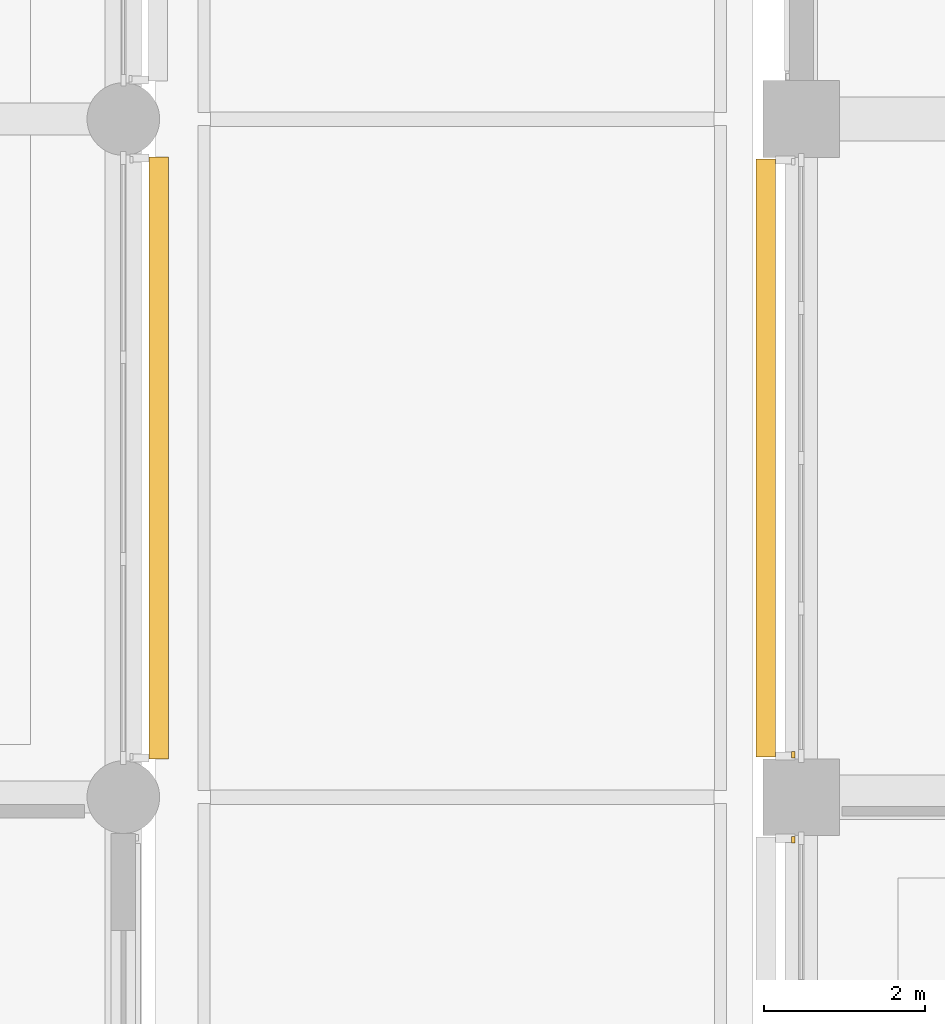
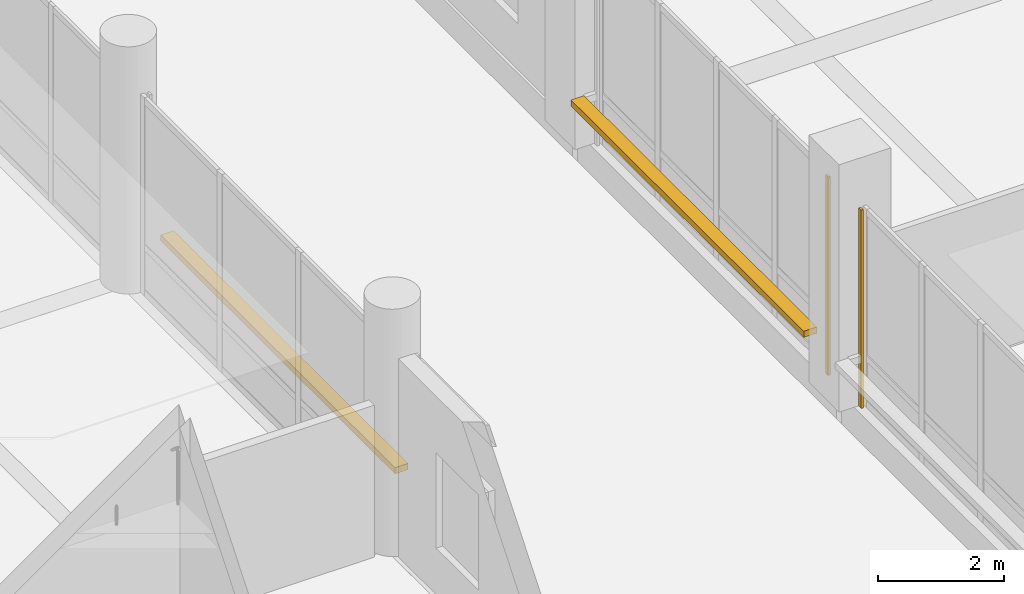
# One storey, part 94 of 128: 2 coverings, 2 shading devices.
"""IFC4 building model written with IfcOpenShell, lengths in metres."""

from ifc_helpers import new_model, si_unit, direction, frame, origin, origin_2d, place, context, subcontext, project, spatial, rectangle, extrude, material, layer, layer_set, type_object, element, save


model = new_model("IFC4")

# Units and contexts
model_context = context("Model", 3, precision=1e-05, world=origin(), true_north=direction((0.0, 1.0)))
body_context = subcontext(model_context, "Body", "Model", "MODEL_VIEW")
ifc_project = project(units=[si_unit("LENGTHUNIT", "METRE"), si_unit("AREAUNIT", "SQUARE_METRE"), si_unit("VOLUMEUNIT", "CUBIC_METRE"), si_unit("PLANEANGLEUNIT", "RADIAN"), si_unit("MASSUNIT", "GRAM", prefix="KILO")], contexts=[model_context])

# Site, building, storey
site_placement = place(None, origin())
site = spatial("IfcSite", under=ifc_project, at=site_placement, CompositionType="ELEMENT")
building_placement = place(site_placement, origin())
building = spatial("IfcBuilding", under=site, at=building_placement, Name="Telukmera Botanical Conservatory", CompositionType="ELEMENT")
storey_placement = place(building_placement, frame((0.0, 0.0, 5.39990234375)))
storey = spatial("IfcBuildingStorey", under=building, at=storey_placement, Name="L01", CompositionType="ELEMENT", Elevation=5.39990234375)

# Coverings
ifc_material_1 = material(Name="Granite-faced precast concrete C40/50", Category="masonry")
ifc_layer_1 = layer(ifc_material_1, 0.0400390625)
ifc_layer_set_1 = layer_set([ifc_layer_1], Name="Granite-faced precast concrete C40/50")
covering_type = type_object("IfcCoveringType", Name="Granite Precast Column Pier Reveal Casing", PredefinedType="CLADDING", material=ifc_layer_set_1)
for number, where, z_axis, x_axis, name in (
    (1, (50.300048828125, 33.873046875, 0.0), (0.0, 0.0, 1.0), (0.0, 1.0, 0.0), "Granite Pier Reveal V4:L01:W3 R"),
    (2, (50.300048828125, 34.927001953125, 0.0), (0.0, 0.0, 1.0), (0.0, 1.0, 0.0), "Granite Pier Reveal V4:L01:W4 L"),
):
    element("IfcCovering", number, at=place(storey_placement, frame(where, z_axis=z_axis, x_axis=x_axis)), inside=storey, type_object=covering_type, Name=name, PredefinedType="CLADDING", context=body_context, shape_type="SweptSolid", body=[
        extrude(rectangle(XDim=0.080078125, YDim=0.0400390625, at=origin_2d()), origin(), (0.0, 0.0, 1.0), 3.85009765625),
    ])

# Shading devices
ifc_material_2 = material(Name="Perforated terracotta-anodised aluminium 6063-T6", Category="masonry")
ifc_layer_2 = layer(ifc_material_2, 0.044921875)
ifc_layer_set_2 = layer_set([ifc_layer_2], Name="Perforated terracotta-anodised aluminium 6063-T6")
shading_device_type = type_object("IfcShadingDeviceType", Name="Perforated Terracotta Aluminium Monsoon Brise Soleil", PredefinedType="JALOUSIE", material=ifc_layer_set_2)
shading_device_1_placement = place(storey_placement, frame((42.43994140625, 38.60009765625, 0.89013671875), z_axis=(0.0, 0.0, 1.0), x_axis=(0.0, 1.0, 0.0)))
element("IfcShadingDevice", 3, at=shading_device_1_placement, inside=storey, type_object=shading_device_type, Name="Monsoon Shading BS01 V3:L01:E3", PredefinedType="JALOUSIE", context=body_context, shape_type="SweptSolid", body=[
    extrude(rectangle(XDim=7.4560546875, YDim=0.239990234375, at=origin_2d()), origin(), (0.0, 0.0, 1.0), 0.1201171875),
])
shading_device_2_placement = place(storey_placement, frame((49.9599609375, 38.60009765625, 0.89013671875), z_axis=(0.0, 0.0, 1.0), x_axis=(0.0, 1.0, 0.0)))
element("IfcShadingDevice", 4, at=shading_device_2_placement, inside=storey, type_object=shading_device_type, Name="Monsoon Shading BS01 V4:L01:W4", PredefinedType="JALOUSIE", context=body_context, shape_type="SweptSolid", body=[
    extrude(rectangle(XDim=7.406005859375, YDim=0.239990234375, at=origin_2d()), origin(), (0.0, 0.0, 1.0), 0.1201171875),
])

save(model, "model.ifc")
